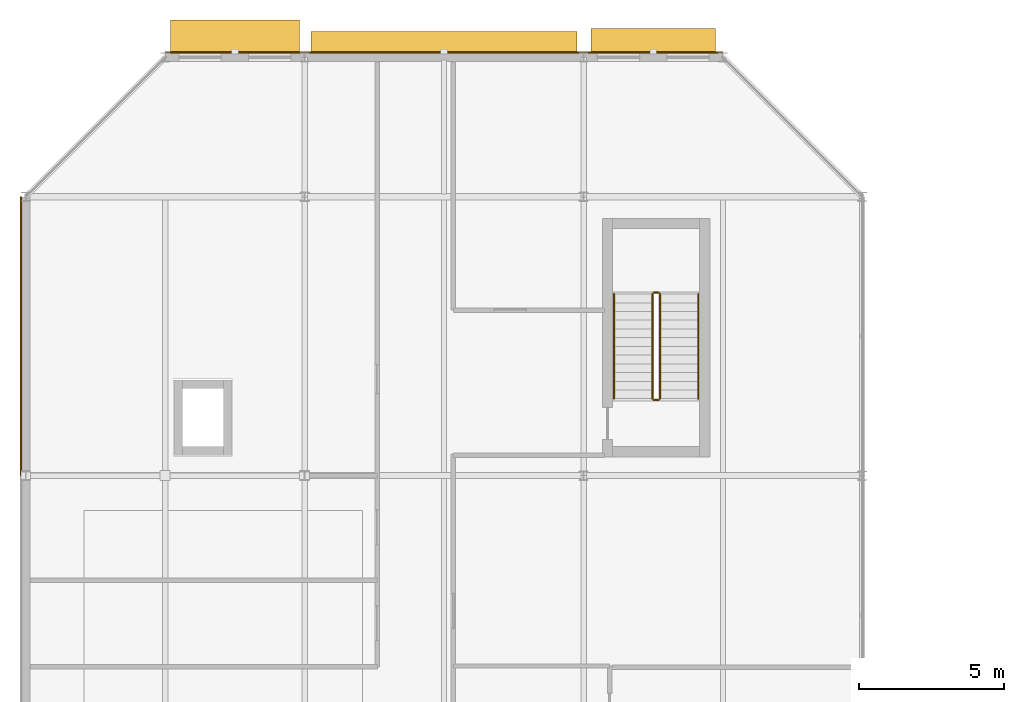
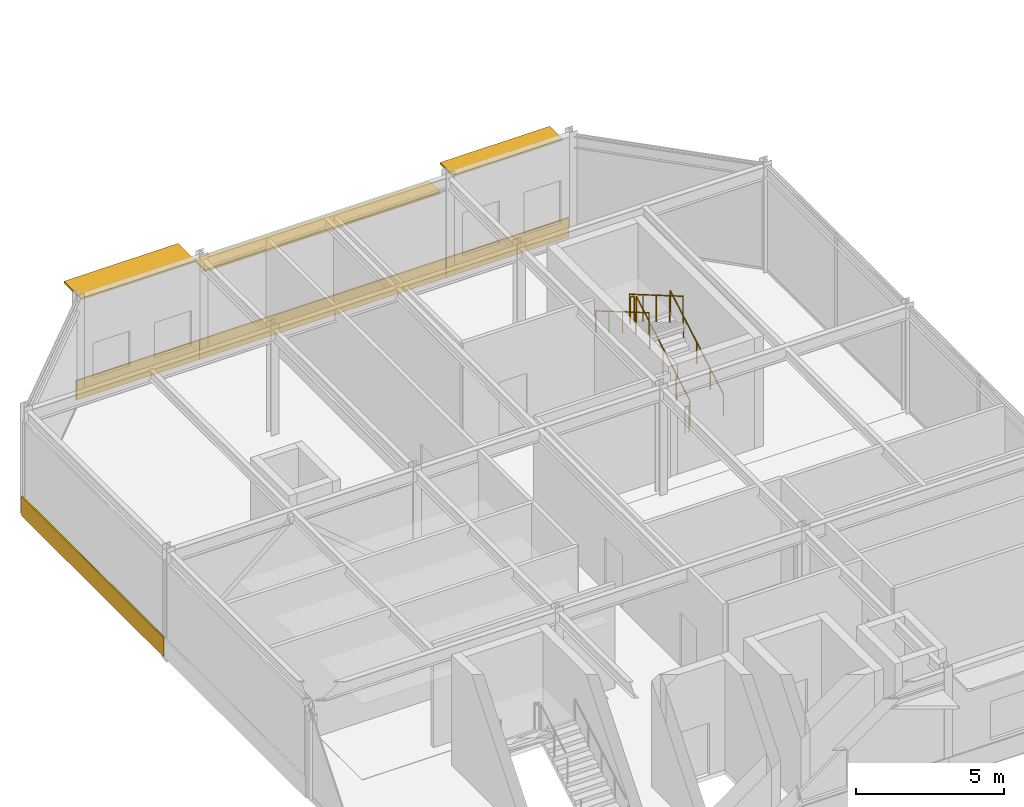
# One storey, part 81 of 89: 6 railings, 4 coverings, 3 shading devices.
"""IFC4 building model written with IfcOpenShell, lengths in metres."""

from ifc_helpers import new_model, si_unit, direction, frame, origin, origin_2d, place, context, subcontext, project, spatial, rectangle, circle, extrude, material, layer, layer_set, type_object, element, save


model = new_model("IFC4")

# Units and contexts
model_context = context("Model", 3, precision=1e-05, world=origin(), true_north=direction((0.0, 1.0)))
body_context = subcontext(model_context, "Body", "Model", "MODEL_VIEW")
ifc_project = project(units=[si_unit("LENGTHUNIT", "METRE"), si_unit("AREAUNIT", "SQUARE_METRE"), si_unit("VOLUMEUNIT", "CUBIC_METRE"), si_unit("PLANEANGLEUNIT", "RADIAN"), si_unit("MASSUNIT", "GRAM", prefix="KILO")], contexts=[model_context])

# Site, building, storey
site_placement = place(None, origin())
site = spatial("IfcSite", under=ifc_project, at=site_placement, CompositionType="ELEMENT")
building_placement = place(site_placement, origin())
building = spatial("IfcBuilding", under=site, at=building_placement, Name="Almandine Court Research Institute", CompositionType="ELEMENT")
storey_placement = place(building_placement, frame((0.0, 0.0, 18.89990234375)))
storey = spatial("IfcBuildingStorey", under=building, at=storey_placement, Name="L04", CompositionType="ELEMENT", Elevation=18.89990234375)

# Coverings
ifc_material_1 = material(Name="Extruded Cream-Ochre Seismic Terracotta Spandrel", Category="masonry")
ifc_layer_1 = layer(ifc_material_1, 0.054931640625)
ifc_layer_set_1 = layer_set([ifc_layer_1], Name="Extruded Cream-Ochre Seismic Terracotta Spandrel")
covering_type = type_object("IfcCoveringType", Name="Cov-CLAD-TERR", PredefinedType="CLADDING", material=ifc_layer_set_1)
covering_1_placement = place(storey_placement, frame((5.830078125, 108.0, 0.02001953125), z_axis=(0.0, 0.0, 1.0), x_axis=(0.0, 1.0, 0.0)))
element("IfcCovering", 1, at=covering_1_placement, inside=storey, type_object=covering_type, Name="L04 Facade Spandrel Cladding Band 77", PredefinedType="CLADDING", context=body_context, shape_type="SweptSolid", body=[
    extrude(rectangle(XDim=9.592041015625, YDim=0.054931640625, at=origin_2d()), origin(), (0.0, 0.0, 1.0), 0.800048828125),
])
covering_2_placement = place(storey_placement, frame((13.199951171875, 117.77001953125, 0.02001953125), z_axis=(0.0, 0.0, 1.0), x_axis=(1.0, 0.0, 0.0)))
element("IfcCovering", 2, at=covering_2_placement, inside=storey, type_object=covering_type, Name="L04 Facade Spandrel Cladding Band 78", PredefinedType="CLADDING", context=body_context, shape_type="SweptSolid", body=[
    extrude(rectangle(XDim=4.7919921875, YDim=0.054931640625, at=origin_2d()), origin(), (0.0, 0.0, 1.0), 0.800048828125),
])
covering_3_placement = place(storey_placement, frame((20.39990234375, 117.77001953125, 0.02001953125), z_axis=(0.0, 0.0, 1.0), x_axis=(1.0, 0.0, 0.0)))
element("IfcCovering", 3, at=covering_3_placement, inside=storey, type_object=covering_type, Name="L04 Facade Spandrel Cladding Band 79", PredefinedType="CLADDING", context=body_context, shape_type="SweptSolid", body=[
    extrude(rectangle(XDim=9.592041015625, YDim=0.054931640625, at=origin_2d()), origin(), (0.0, 0.0, 1.0), 0.800048828125),
])
covering_4_placement = place(storey_placement, frame((27.60009765625, 117.77001953125, 0.02001953125), z_axis=(0.0, 0.0, 1.0), x_axis=(1.0, 0.0, 0.0)))
element("IfcCovering", 4, at=covering_4_placement, inside=storey, type_object=covering_type, Name="L04 Facade Spandrel Cladding Band 80", PredefinedType="CLADDING", context=body_context, shape_type="SweptSolid", body=[
    extrude(rectangle(XDim=4.7919921875, YDim=0.054931640625, at=origin_2d()), origin(), (0.0, 0.0, 1.0), 0.800048828125),
])

# Railings
ifc_material_2 = material(Name="Powder-Coated Steel Stair and Atrium Balustrade", Category="steel")
railing_type_1 = type_object("IfcRailingType", Name="Rail-GUARD-INT", PredefinedType="BALUSTRADE", material=ifc_material_2)
railing_1_placement = place(storey_placement, frame((27.830078125, 105.85009765625, 0.175048828125)))
element("IfcRailing", 5, at=railing_1_placement, inside=storey, type_object=railing_type_1, Name="L04 ST-06 stair guard 1", PredefinedType="BALUSTRADE", context=body_context, shape_type="SweptSolid", body=[
    extrude(circle(Radius=0.02392578125, at=origin_2d()), frame((0.0, 0.0, 1.09619140625), z_axis=(0.0, 0.863759778359, 0.503903805591), x_axis=(-1.0, 0.0, 0.0)), (0.0, 0.0, 1.0), 4.167724609375),
    extrude(circle(Radius=0.02099609375, at=origin_2d()), origin(), (0.0, 0.0, 1.0), 1.072021484375),
    extrude(circle(Radius=0.02099609375, at=origin_2d()), frame((0.0, 0.89990234375, 0.52490234375)), (0.0, 0.0, 1.0), 1.072021484375),
    extrude(circle(Radius=0.02099609375, at=origin_2d()), frame((0.0, 1.7998046875, 1.050048828125)), (0.0, 0.0, 1.0), 1.072021484375),
    extrude(circle(Radius=0.02099609375, at=origin_2d()), frame((0.0, 2.699951171875, 1.5751953125)), (0.0, 0.0, 1.0), 1.072021484375),
    extrude(circle(Radius=0.02099609375, at=origin_2d()), frame((0.0, 3.599853515625, 2.10009765625)), (0.0, 0.0, 1.0), 1.072021484375),
])
railing_2_placement = place(storey_placement, frame((27.780029296875, 109.5, 2.275146484375)))
element("IfcRailing", 6, at=railing_2_placement, inside=storey, type_object=railing_type_1, Name="L04 ST-06 stair guard 2", PredefinedType="BALUSTRADE", context=body_context, shape_type="SweptSolid", body=[
    extrude(circle(Radius=0.02392578125, at=origin_2d()), frame((0.0, 0.0, 1.09619140625), z_axis=(-1.0, 0.0, 0.0), x_axis=(0.0, -1.0, 0.0)), (0.0, 0.0, 1.0), 0.159912109375),
    extrude(circle(Radius=0.02099609375, at=origin_2d()), origin(), (0.0, 0.0, 1.0), 1.072021484375),
    extrude(circle(Radius=0.02099609375, at=origin_2d()), frame((-0.159912109375, 0.0, 0.0)), (0.0, 0.0, 1.0), 1.072021484375),
])
railing_3_placement = place(storey_placement, frame((27.570068359375, 109.449951171875, 2.4501953125)))
element("IfcRailing", 7, at=railing_3_placement, inside=storey, type_object=railing_type_1, Name="L04 ST-06 stair guard 3", PredefinedType="BALUSTRADE", context=body_context, shape_type="SweptSolid", body=[
    extrude(circle(Radius=0.02392578125, at=origin_2d()), frame((0.0, 0.0, 1.09619140625), z_axis=(0.0, -0.86378527499, 0.503860098351), x_axis=(1.0, 0.0, 0.0)), (0.0, 0.0, 1.0), 4.16748046875),
    extrude(circle(Radius=0.02099609375, at=origin_2d()), origin(), (0.0, 0.0, 1.0), 1.072021484375),
    extrude(circle(Radius=0.02099609375, at=origin_2d()), frame((0.0, -0.89990234375, 0.52490234375)), (0.0, 0.0, 1.0), 1.072021484375),
    extrude(circle(Radius=0.02099609375, at=origin_2d()), frame((0.0, -1.7998046875, 1.0498046875)), (0.0, 0.0, 1.0), 1.072021484375),
    extrude(circle(Radius=0.02099609375, at=origin_2d()), frame((0.0, -2.699951171875, 1.574951171875)), (0.0, 0.0, 1.0), 1.072021484375),
    extrude(circle(Radius=0.02099609375, at=origin_2d()), frame((0.0, -3.599853515625, 2.099853515625)), (0.0, 0.0, 1.0), 1.072021484375),
])
railing_4_placement = place(storey_placement, frame((27.780029296875, 105.800048828125, 0.0)))
element("IfcRailing", 8, at=railing_4_placement, inside=storey, type_object=railing_type_1, Name="L04 ST-06 stair guard 4", PredefinedType="BALUSTRADE", context=body_context, shape_type="SweptSolid", body=[
    extrude(circle(Radius=0.02392578125, at=origin_2d()), frame((0.0, 0.0, 1.09619140625), z_axis=(-1.0, 0.0, 0.0), x_axis=(0.0, -1.0, 0.0)), (0.0, 0.0, 1.0), 0.159912109375),
    extrude(circle(Radius=0.02099609375, at=origin_2d()), origin(), (0.0, 0.0, 1.0), 1.072021484375),
    extrude(circle(Radius=0.02099609375, at=origin_2d()), frame((-0.159912109375, 0.0, 0.0)), (0.0, 0.0, 1.0), 1.072021484375),
])
ifc_material_3 = material(Name="Brushed Stainless Steel Wall Handrail", Category="steel")
railing_type_2 = type_object("IfcRailingType", Name="Rail-HAND-INT", PredefinedType="HANDRAIL", material=ifc_material_3)
railing_5_placement = place(storey_placement, frame((29.14990234375, 105.85009765625, 0.175048828125)))
element("IfcRailing", 9, at=railing_5_placement, inside=storey, type_object=railing_type_2, Name="L04 ST-06 stair handrail 1", PredefinedType="HANDRAIL", context=body_context, shape_type="SweptSolid", body=[
    extrude(circle(Radius=0.02392578125, at=origin_2d()), frame((0.0, 0.0, 0.8759765625), z_axis=(0.0, 0.863759778359, 0.503903805591), x_axis=(-1.0, 0.0, 0.0)), (0.0, 0.0, 1.0), 4.167724609375),
    extrude(circle(Radius=0.02099609375, at=origin_2d()), origin(), (0.0, 0.0, 1.0), 0.851806640625),
    extrude(circle(Radius=0.02099609375, at=origin_2d()), frame((0.0, 0.89990234375, 0.52490234375)), (0.0, 0.0, 1.0), 0.851806640625),
    extrude(circle(Radius=0.02099609375, at=origin_2d()), frame((0.0, 1.7998046875, 1.050048828125)), (0.0, 0.0, 1.0), 0.851806640625),
    extrude(circle(Radius=0.02099609375, at=origin_2d()), frame((0.0, 2.699951171875, 1.5751953125)), (0.0, 0.0, 1.0), 0.851806640625),
    extrude(circle(Radius=0.02099609375, at=origin_2d()), frame((0.0, 3.599853515625, 2.10009765625)), (0.0, 0.0, 1.0), 0.851806640625),
])
railing_6_placement = place(storey_placement, frame((26.25, 109.449951171875, 2.4501953125)))
element("IfcRailing", 10, at=railing_6_placement, inside=storey, type_object=railing_type_2, Name="L04 ST-06 stair handrail 2", PredefinedType="HANDRAIL", context=body_context, shape_type="SweptSolid", body=[
    extrude(circle(Radius=0.02392578125, at=origin_2d()), frame((0.0, 0.0, 0.8759765625), z_axis=(0.0, -0.86378527499, 0.503860098351), x_axis=(1.0, 0.0, 0.0)), (0.0, 0.0, 1.0), 4.16748046875),
    extrude(circle(Radius=0.02099609375, at=origin_2d()), origin(), (0.0, 0.0, 1.0), 0.851806640625),
    extrude(circle(Radius=0.02099609375, at=origin_2d()), frame((0.0, -0.89990234375, 0.52490234375)), (0.0, 0.0, 1.0), 0.851806640625),
    extrude(circle(Radius=0.02099609375, at=origin_2d()), frame((0.0, -1.7998046875, 1.0498046875)), (0.0, 0.0, 1.0), 0.851806640625),
    extrude(circle(Radius=0.02099609375, at=origin_2d()), frame((0.0, -2.699951171875, 1.574951171875)), (0.0, 0.0, 1.0), 0.851806640625),
    extrude(circle(Radius=0.02099609375, at=origin_2d()), frame((0.0, -3.599853515625, 2.099853515625)), (0.0, 0.0, 1.0), 0.851806640625),
])

# Shading devices
ifc_material_4 = material(Name="Precast GFRC Chhajja Sunshade and Acoustic Louvre", Category="concrete")
ifc_layer_2 = layer(ifc_material_4, 0.080078125)
ifc_layer_set_2 = layer_set([ifc_layer_2], Name="Precast GFRC Chhajja Sunshade and Acoustic Louvre")
shading_device_type_1 = type_object("IfcShadingDeviceType", Name="Shd-SD-27", PredefinedType="AWNING", material=ifc_layer_set_2)
shading_device_1_placement = place(storey_placement, frame((13.199951171875, 118.31005859375, 4.090087890625), z_axis=(0.0, 0.0, 1.0), x_axis=(1.0, 0.0, 0.0)))
element("IfcShadingDevice", 11, at=shading_device_1_placement, inside=storey, type_object=shading_device_type_1, Name="L04 Projecting Chhajja Sunshade 44", PredefinedType="AWNING", context=body_context, shape_type="SweptSolid", body=[
    extrude(rectangle(XDim=4.44189453125, YDim=1.14990234375, at=origin_2d()), origin(), (0.0, 0.0, 1.0), 0.080078125),
])
ifc_layer_3 = layer(ifc_material_4, 0.080078125)
ifc_layer_set_3 = layer_set([ifc_layer_3], Name="Precast GFRC Chhajja Sunshade and Acoustic Louvre")
shading_device_type_2 = type_object("IfcShadingDeviceType", Name="Shd-SD-33", PredefinedType="AWNING", material=ifc_layer_set_3)
shading_device_2_placement = place(storey_placement, frame((20.39990234375, 118.110107421875, 3.55712890625), z_axis=(0.0, 0.0, 1.0), x_axis=(1.0, 0.0, 0.0)))
element("IfcShadingDevice", 12, at=shading_device_2_placement, inside=storey, type_object=shading_device_type_2, Name="L04 Projecting Chhajja Sunshade 45", PredefinedType="AWNING", context=body_context, shape_type="SweptSolid", body=[
    extrude(rectangle(XDim=9.162109375, YDim=0.75, at=origin_2d()), origin(), (0.0, 0.0, 1.0), 0.080078125),
])
ifc_layer_4 = layer(ifc_material_4, 0.080078125)
ifc_layer_set_4 = layer_set([ifc_layer_4], Name="Precast GFRC Chhajja Sunshade and Acoustic Louvre")
shading_device_type_3 = type_object("IfcShadingDeviceType", Name="Shd-SD-34", PredefinedType="AWNING", material=ifc_layer_set_4)
shading_device_3_placement = place(storey_placement, frame((27.60009765625, 118.159912109375, 4.090087890625), z_axis=(0.0, 0.0, 1.0), x_axis=(1.0, 0.0, 0.0)))
element("IfcShadingDevice", 13, at=shading_device_3_placement, inside=storey, type_object=shading_device_type_3, Name="L04 Projecting Chhajja Sunshade 46", PredefinedType="AWNING", context=body_context, shape_type="SweptSolid", body=[
    extrude(rectangle(XDim=4.281982421875, YDim=0.85009765625, at=origin_2d()), origin(), (0.0, 0.0, 1.0), 0.080078125),
])

save(model, "model.ifc")
